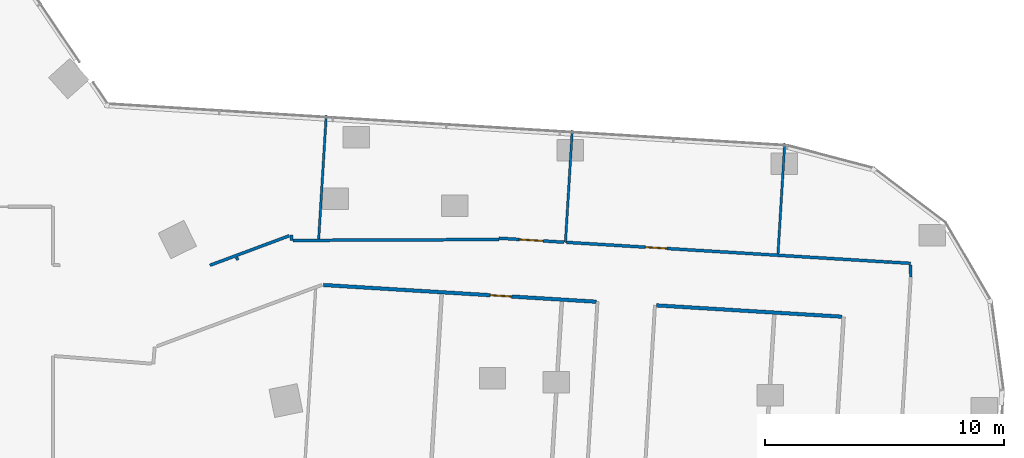
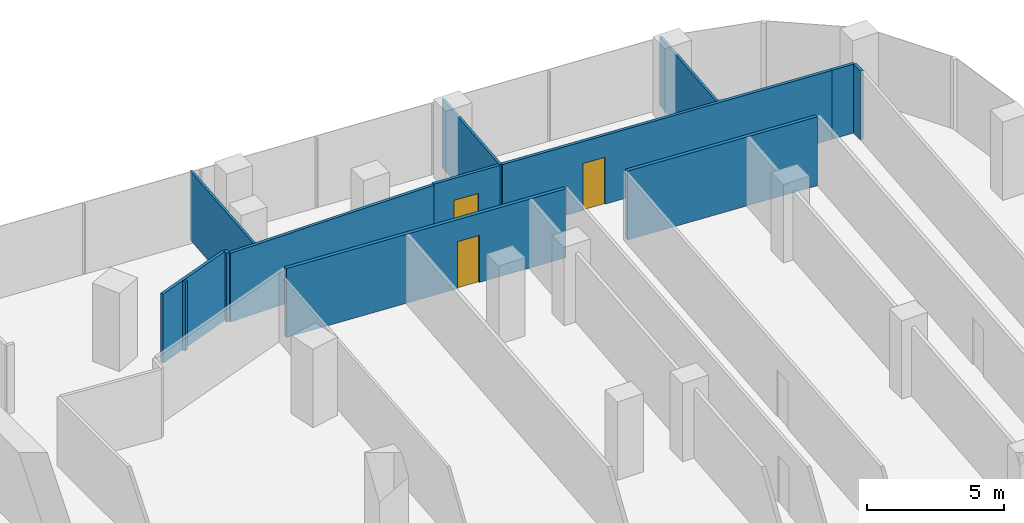
# One storey, part 27 of 32: 13 walls, 3 doors, 3 openings.
"""IFC4 building model written with IfcOpenShell, lengths in metres."""

from ifc_helpers import new_model, si_unit, direction, frame, frame_2d, origin, place, context, subcontext, project, spatial, rectangle, extrude, material, layer, layer_set, type_object, element, fill, save


model = new_model("IFC4")

# Units and contexts
model_context = context("Model", 3, precision=1e-05, world=origin(), true_north=direction((0.0, 1.0)))
body_context = subcontext(model_context, "Body", "Model", "MODEL_VIEW")
ifc_project = project(units=[si_unit("LENGTHUNIT", "METRE"), si_unit("AREAUNIT", "SQUARE_METRE"), si_unit("VOLUMEUNIT", "CUBIC_METRE"), si_unit("PLANEANGLEUNIT", "RADIAN"), si_unit("MASSUNIT", "GRAM", prefix="KILO")], contexts=[model_context])

# Site, building, storey
site_placement = place(None, origin())
site = spatial("IfcSite", under=ifc_project, at=site_placement, CompositionType="ELEMENT")
building_placement = place(site_placement, origin())
building = spatial("IfcBuilding", under=site, at=building_placement, Name="Orlundy Tower", CompositionType="ELEMENT")
storey_placement = place(building_placement, frame((0.0, 0.0, 149.10009765625)))
storey = spatial("IfcBuildingStorey", under=building, at=storey_placement, Name="L38", CompositionType="ELEMENT", Elevation=149.10009765625)

# Walls
ifc_material_1 = material(Name="Gypsum board partition")
ifc_layer_1 = layer(ifc_material_1, 0.10009765625)
ifc_layer_set_1 = layer_set([ifc_layer_1], Name="Floor partition 100")
wall_type_1 = type_object("IfcWallType", Name="Floor partition 100", PredefinedType="PARTITIONING", material=ifc_layer_set_1)
wall_1_placement = place(storey_placement, frame((51.759033203125, 12.48193359375, 0.0), z_axis=(0.0, 0.0, 1.0), x_axis=(0.060881783699, 0.998144983664, 0.0)))
element("IfcWall", 1, at=wall_1_placement, inside=storey, type_object=wall_type_1, Name="wall-int-L38-089", PredefinedType="PARTITIONING", context=body_context, shape_type="SweptSolid", body=[
    extrude(rectangle(XDim=4.631591796875, YDim=0.10009765625, at=frame_2d((2.31591796875, 0.0))), origin(), (0.0, 0.0, 1.0), 3.079833984375),
])
wall_2_placement = place(storey_placement, frame((42.87109375, 12.962890625, 0.0), z_axis=(0.0, 0.0, 1.0), x_axis=(0.0609080718, 0.998143379876, 0.0)))
element("IfcWall", 2, at=wall_2_placement, inside=storey, type_object=wall_type_1, Name="wall-int-L38-095", PredefinedType="PARTITIONING", context=body_context, shape_type="SweptSolid", body=[
    extrude(rectangle(XDim=4.69384765625, YDim=0.10009765625, at=frame_2d((2.346923828125, 0.0))), origin(), (0.0, 0.0, 1.0), 3.079833984375),
])
wall_3_placement = place(storey_placement, frame((32.553955078125, 13.10302734375, 0.0), z_axis=(0.0, 0.0, 1.0), x_axis=(0.060991322312, 0.998138296331, 0.0)))
element("IfcWall", 3, at=wall_3_placement, inside=storey, type_object=wall_type_1, Name="wall-int-L38-099", PredefinedType="PARTITIONING", context=body_context, shape_type="SweptSolid", body=[
    extrude(rectangle(XDim=5.183837890625, YDim=0.10009765625, at=frame_2d((2.591796875, 0.0))), origin(), (0.0, 0.0, 1.0), 3.079833984375),
])
ifc_material_2 = material(Name="Gypsum board partition, double layer")
ifc_layer_2 = layer(ifc_material_2, 0.125)
ifc_layer_set_2 = layer_set([ifc_layer_2], Name="Floor partition 125")
wall_type_2 = type_object("IfcWallType", Name="Floor partition 125", PredefinedType="PARTITIONING", material=ifc_layer_set_2)
wall_4_placement = place(storey_placement, frame((57.30908203125, 12.01806640625, 0.0), z_axis=(0.0, 0.0, 1.0), x_axis=(0.001937042371, -0.999998123932, 0.0)))
element("IfcWall", 4, at=wall_4_placement, inside=storey, type_object=wall_type_2, Name="wall-int-L38-001", PredefinedType="PARTITIONING", context=body_context, shape_type="SweptSolid", body=[
    extrude(rectangle(XDim=0.504150390625, YDim=0.125, at=frame_2d((0.251953125, 0.0))), origin(), (0.0, 0.0, 1.0), 3.079833984375),
])
wall_5_placement = place(storey_placement, frame((29.112060546875, 12.33203125, 0.0), z_axis=(0.0, 0.0, 1.0), x_axis=(0.515635582666, -0.856807998264, 0.0)))
element("IfcWall", 5, at=wall_5_placement, inside=storey, type_object=wall_type_2, Name="wall-int-L38-005", PredefinedType="PARTITIONING", context=body_context, shape_type="SweptSolid", body=[
    extrude(rectangle(XDim=0.1259765625, YDim=0.125, at=frame_2d((0.06298828125, 0.0))), origin(), (0.0, 0.0, 1.0), 3.079833984375),
])

# Wall, opening, door
wall_6_placement = place(storey_placement, frame((42.9208984375, 12.9599609375, 0.0), z_axis=(0.0, 0.0, 1.0), x_axis=(0.998135679052, -0.061034139647, 0.0)))
wall_6 = element("IfcWall", 6, at=wall_6_placement, inside=storey, type_object=wall_type_2, Name="wall-int-L38-043", PredefinedType="PARTITIONING", context=body_context, shape_type="SweptSolid", body=[
    extrude(rectangle(XDim=13.46826171875, YDim=0.125, at=frame_2d((6.734130859375, 0.0))), origin(), (0.0, 0.0, 1.0), 3.079833984375),
])
opening_1_placement = place(wall_6_placement, frame((3.300048828125, 0.0, 0.0)))
opening_1 = element("IfcOpeningElement", 7, at=opening_1_placement, cuts=wall_6, Name="Opening 29101", PredefinedType="OPENING", context=body_context, shape_type="SweptSolid", body=[
    extrude(rectangle(XDim=0.89990234375, YDim=2.10009765625, at=frame_2d((0.449951171875, 1.050048828125))), frame((0.0, 0.072509765625, 0.0), z_axis=(0.0, -1.0, 0.0), x_axis=(1.0, 0.0, 0.0)), (0.0, 0.0, 1.0), 0.14501953125),
])
ifc_material_3 = material(Name="Timber door leaf", Category="wood")
door_type_1 = type_object("IfcDoorType", Name="Floor door single 900 FD30S", OperationType="NOTDEFINED", PredefinedType="DOOR", material=ifc_material_3)
door_1_placement = place(opening_1_placement, origin())
door_1 = element("IfcDoor", 8, at=door_1_placement, inside=storey, type_object=door_type_1, Name="Door 29101", OperationType="SINGLE_SWING_LEFT", OverallHeight=2.10009765625, OverallWidth=0.89990234375, PredefinedType="DOOR", context=body_context, shape_type="SweptSolid", body=[
    extrude(rectangle(XDim=0.89990234375, YDim=2.10009765625, at=frame_2d((0.449951171875, 1.050048828125))), frame((0.0, 0.02490234375, 0.0), z_axis=(0.0, -1.0, 0.0), x_axis=(1.0, 0.0, 0.0)), (0.0, 0.0, 1.0), 0.050048828125),
])
fill(opening_1, door_1)

wall_7_placement = place(storey_placement, frame((40.09912109375, 13.133056640625, 0.0), z_axis=(0.0, 0.0, 1.0), x_axis=(0.998123336101, -0.061235658973, 0.0)))
wall_7 = element("IfcWall", 9, at=wall_7_placement, inside=storey, type_object=wall_type_2, Name="wall-int-L38-044", PredefinedType="PARTITIONING", context=body_context, shape_type="SweptSolid", body=[
    extrude(rectangle(XDim=2.72705078125, YDim=0.125, at=frame_2d((1.363525390625, 0.0))), origin(), (0.0, 0.0, 1.0), 3.079833984375),
])
opening_2_placement = place(wall_7_placement, frame((0.85009765625, 0.0, 0.0)))
opening_2 = element("IfcOpeningElement", 10, at=opening_2_placement, cuts=wall_7, Name="Opening 29100", PredefinedType="OPENING", context=body_context, shape_type="SweptSolid", body=[
    extrude(rectangle(XDim=1.0, YDim=2.10009765625, at=frame_2d((0.5, 1.050048828125))), frame((0.0, 0.072509765625, 0.0), z_axis=(0.0, -1.0, 0.0), x_axis=(1.0, 0.0, 0.0)), (0.0, 0.0, 1.0), 0.14501953125),
])
ifc_material_4 = material(Name="Timber door leaf", Category="wood")
door_type_2 = type_object("IfcDoorType", Name="Floor door wide 1000 FD30S", OperationType="NOTDEFINED", PredefinedType="DOOR", material=ifc_material_4)
door_2_placement = place(opening_2_placement, origin())
door_2 = element("IfcDoor", 11, at=door_2_placement, inside=storey, type_object=door_type_2, Name="Door 29100", OperationType="SINGLE_SWING_LEFT", OverallHeight=2.10009765625, OverallWidth=1.0, PredefinedType="DOOR", context=body_context, shape_type="SweptSolid", body=[
    extrude(rectangle(XDim=1.0, YDim=2.10009765625, at=frame_2d((0.5, 1.050048828125))), frame((0.0, 0.02490234375, 0.0), z_axis=(0.0, -1.0, 0.0), x_axis=(1.0, 0.0, 0.0)), (0.0, 0.0, 1.0), 0.050048828125),
])
fill(opening_2, door_2)

# Walls
wall_8_placement = place(storey_placement, frame((56.362060546875, 12.138916015625, 0.0), z_axis=(0.0, 0.0, 1.0), x_axis=(0.998134879302, -0.061047217134, 0.0)))
element("IfcWall", 12, at=wall_8_placement, inside=storey, type_object=wall_type_2, Name="wall-int-L38-045", PredefinedType="PARTITIONING", context=body_context, shape_type="SweptSolid", body=[
    extrude(rectangle(XDim=0.94775390625, YDim=0.125, at=frame_2d((0.473876953125, 0.0))), origin(), (0.0, 0.0, 1.0), 3.079833984375),
])
wall_9_placement = place(storey_placement, frame((31.470947265625, 13.041015625, 0.0), z_axis=(0.0, 0.0, 1.0), x_axis=(0.999990255084, 0.004414718129, 0.0)))
element("IfcWall", 13, at=wall_9_placement, inside=storey, type_object=wall_type_2, Name="wall-int-L38-053", PredefinedType="PARTITIONING", context=body_context, shape_type="SweptSolid", body=[
    extrude(rectangle(XDim=8.626953125, YDim=0.125, at=frame_2d((4.3134765625, 0.0))), origin(), (0.0, 0.0, 1.0), 3.079833984375),
])
wall_10_placement = place(storey_placement, frame((28.0048828125, 12.0, 0.0), z_axis=(0.0, 0.0, 1.0), x_axis=(0.937179389565, 0.348847806034, 0.0)))
element("IfcWall", 14, at=wall_10_placement, inside=storey, type_object=wall_type_2, Name="wall-int-L38-058", PredefinedType="PARTITIONING", context=body_context, shape_type="SweptSolid", body=[
    extrude(rectangle(XDim=3.54052734375, YDim=0.125, at=frame_2d((1.770263671875, 0.0))), origin(), (0.0, 0.0, 1.0), 3.079833984375),
])
wall_11_placement = place(storey_placement, frame((31.408935546875, 13.041015625, 0.0), z_axis=(0.0, 0.0, 1.0), x_axis=(0.0, 1.0, 0.0)))
element("IfcWall", 15, at=wall_11_placement, inside=storey, type_object=wall_type_2, Name="wall-int-L38-101", PredefinedType="PARTITIONING", context=body_context, shape_type="SweptSolid", body=[
    extrude(rectangle(XDim=0.223876953125, YDim=0.125, at=frame_2d((0.11181640625, 0.0))), origin(), (0.0, 0.0, 1.0), 3.079833984375),
])

# Wall, opening, door
ifc_material_5 = material(Name="Blockwork shaft wall", Category="masonry")
ifc_layer_3 = layer(ifc_material_5, 0.14990234375)
ifc_layer_set_3 = layer_set([ifc_layer_3], Name="Floor shaft wall 150")
wall_type_3 = type_object("IfcWallType", Name="Floor shaft wall 150", PredefinedType="PARTITIONING", material=ifc_layer_set_3)
wall_12_placement = place(storey_placement, frame((44.159912109375, 10.47802734375, 0.0), z_axis=(0.0, 0.0, 1.0), x_axis=(-0.998127894331, 0.061161315872, 0.0)))
wall_12 = element("IfcWall", 16, at=wall_12_placement, inside=storey, type_object=wall_type_3, Name="wall-int-L38-041", PredefinedType="PARTITIONING", context=body_context, shape_type="SweptSolid", body=[
    extrude(rectangle(XDim=11.428466796875, YDim=0.14990234375, at=frame_2d((5.71435546875, 0.0))), origin(), (0.0, 0.0, 1.0), 3.079833984375),
])
opening_3_placement = place(wall_12_placement, frame((3.53759765625, 0.0, 0.0)))
opening_3 = element("IfcOpeningElement", 17, at=opening_3_placement, cuts=wall_12, Name="Opening 29103", PredefinedType="OPENING", context=body_context, shape_type="SweptSolid", body=[
    extrude(rectangle(XDim=0.89990234375, YDim=2.10009765625, at=frame_2d((0.449951171875, 1.050048828125))), frame((0.0, 0.0849609375, 0.0), z_axis=(0.0, -1.0, 0.0), x_axis=(1.0, 0.0, 0.0)), (0.0, 0.0, 1.0), 0.169921875),
])
ifc_material_6 = material(Name="Timber door leaf", Category="wood")
door_type_3 = type_object("IfcDoorType", Name="Floor door single 900 FD60", OperationType="NOTDEFINED", PredefinedType="DOOR", material=ifc_material_6)
door_3_placement = place(opening_3_placement, origin())
door_3 = element("IfcDoor", 18, at=door_3_placement, inside=storey, type_object=door_type_3, Name="Door 29103", OperationType="SINGLE_SWING_LEFT", OverallHeight=2.10009765625, OverallWidth=0.89990234375, PredefinedType="DOOR", context=body_context, shape_type="SweptSolid", body=[
    extrude(rectangle(XDim=0.89990234375, YDim=2.10009765625, at=frame_2d((0.449951171875, 1.050048828125))), frame((0.0, 0.02490234375, 0.0), z_axis=(0.0, -1.0, 0.0), x_axis=(1.0, 0.0, 0.0)), (0.0, 0.0, 1.0), 0.050048828125),
])
fill(opening_3, door_3)

# Wall
wall_13_placement = place(storey_placement, frame((46.677001953125, 10.324951171875, 0.0), z_axis=(0.0, 0.0, 1.0), x_axis=(0.998143498814, -0.060906122644, 0.0)))
element("IfcWall", 19, at=wall_13_placement, inside=storey, type_object=wall_type_3, Name="wall-int-L38-042", PredefinedType="PARTITIONING", context=body_context, shape_type="SweptSolid", body=[
    extrude(rectangle(XDim=7.764404296875, YDim=0.14990234375, at=frame_2d((3.88232421875, 0.0))), origin(), (0.0, 0.0, 1.0), 3.079833984375),
])

save(model, "model.ifc")
